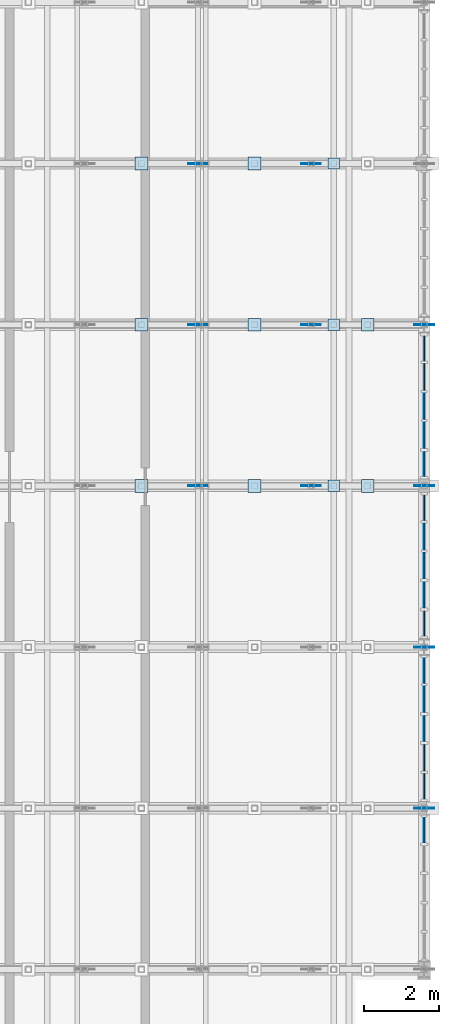
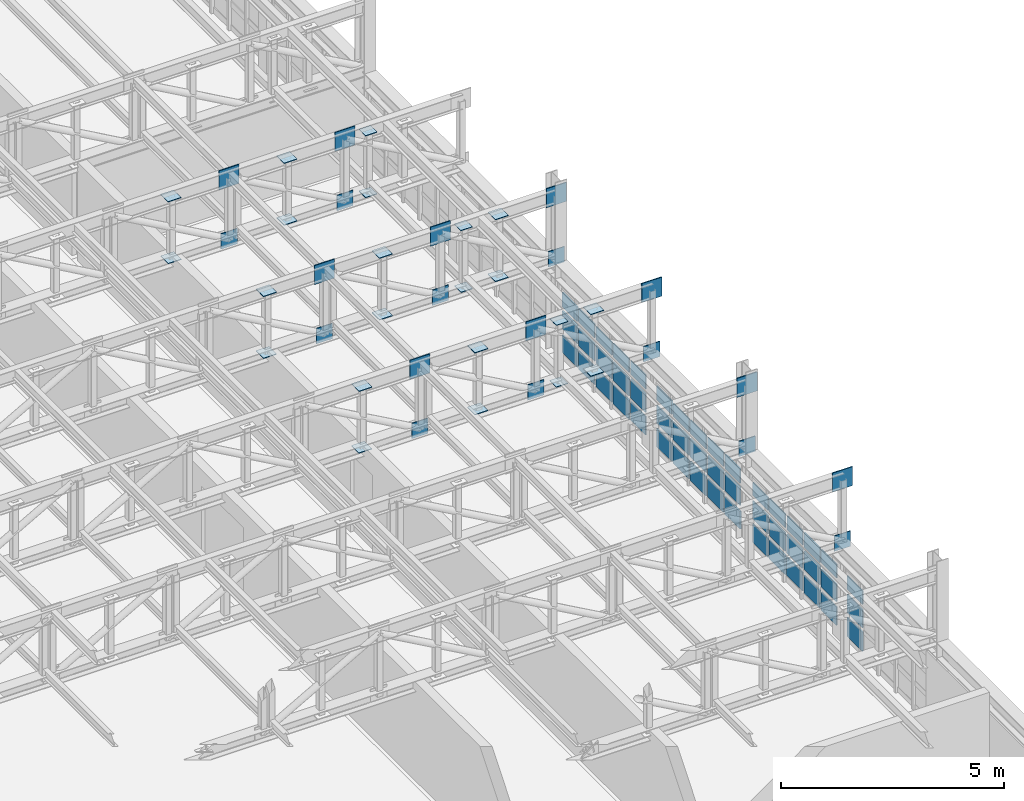
# One storey, part 109 of 128: 90 plates, 4 elements without a shape of their own.
"""IFC4 building model written with IfcOpenShell, lengths in metres."""

from ifc_helpers import new_model, si_unit, direction, frame, origin, origin_2d, place, context, subcontext, project, spatial, rectangle, extrude, material, layer, layer_set, type_object, element, aggregate, save


model = new_model("IFC4")

# Units and contexts
model_context = context("Model", 3, precision=1e-05, world=origin(), true_north=direction((0.0, 1.0)))
body_context = subcontext(model_context, "Body", "Model", "MODEL_VIEW")
ifc_project = project(units=[si_unit("LENGTHUNIT", "METRE"), si_unit("AREAUNIT", "SQUARE_METRE"), si_unit("VOLUMEUNIT", "CUBIC_METRE"), si_unit("PLANEANGLEUNIT", "RADIAN"), si_unit("MASSUNIT", "GRAM", prefix="KILO")], contexts=[model_context])

# Site, building, storey
site_placement = place(None, origin())
site = spatial("IfcSite", under=ifc_project, at=site_placement, CompositionType="ELEMENT")
building_placement = place(site_placement, origin())
building = spatial("IfcBuilding", under=site, at=building_placement, Name="Serraforn Aerial Cableway Station", CompositionType="ELEMENT")
storey_placement = place(building_placement, frame((0.0, 0.0, 9.0)))
storey = spatial("IfcBuildingStorey", under=building, at=storey_placement, Name="L02", CompositionType="ELEMENT", Elevation=9.0)

# Curtain wall, plate
ifc_material_1 = material(Name="Anodised bronze unitised curtain wall")
curtain_wall_type_1 = type_object("IfcCurtainWallType", Name="CW-SYS-27", PredefinedType="USERDEFINED", material=ifc_material_1)
curtain_wall_1_placement = place(storey_placement, origin())
curtain_wall_1 = element("IfcCurtainWall", 1, at=curtain_wall_1_placement, inside=storey, type_object=curtain_wall_type_1, Name="Unitised Curtain Wall CW-EG-L02-E3A", ObjectType="UNITISED CURTAIN WALL", PredefinedType="USERDEFINED")
ifc_material_2 = material(Name="Solar-control low-E double glazing", Category="glass")
ifc_layer_1 = layer(ifc_material_2, 0.02587890625)
ifc_layer_set_1 = layer_set([ifc_layer_1], Name="Solar-control low-E double glazing")
plate_type_1 = type_object("IfcPlateType", Name="CW-GLZ-1", PredefinedType="CURTAIN_PANEL", material=ifc_layer_set_1)
plate_1_placement = place(storey_placement, frame((168.0, 66.399169921875, 0.77880859375), z_axis=(0.0, 0.0, 1.0), x_axis=(1.0, 0.0, 0.0)))
plate_1 = element("IfcPlate", 2, at=plate_1_placement, type_object=plate_type_1, Name="Curtain Wall Panel CW-EG-L02-E3A-P5-2", PredefinedType="CURTAIN_PANEL", context=body_context, shape_type="SweptSolid", body=[
    extrude(rectangle(XDim=0.02587890625, YDim=0.685791015625, at=origin_2d()), origin(), (0.0, 0.0, 1.0), 0.512451171875),
])

# Curtain wall, plates
curtain_wall_type_2 = type_object("IfcCurtainWallType", Name="CW-SYS-28", PredefinedType="USERDEFINED", material=ifc_material_1)
curtain_wall_2_placement = place(storey_placement, origin())
curtain_wall_2 = element("IfcCurtainWall", 3, at=curtain_wall_2_placement, inside=storey, type_object=curtain_wall_type_2, Name="Unitised Curtain Wall CW-EG-L02-E3B", ObjectType="UNITISED CURTAIN WALL", PredefinedType="USERDEFINED")
plate_2_placement = place(storey_placement, frame((168.0, 69.089599609375, 1.414794921875), z_axis=(0.0, 0.0, 1.0), x_axis=(1.0, 0.0, 0.0)))
plate_2 = element("IfcPlate", 4, at=plate_2_placement, type_object=plate_type_1, Name="Curtain Wall Panel CW-EG-L02-E3B-P3-3", PredefinedType="CURTAIN_PANEL", context=body_context, shape_type="SweptSolid", body=[
    extrude(rectangle(XDim=0.02587890625, YDim=0.705810546875, at=origin_2d()), origin(), (0.0, 0.0, 1.0), 0.38525390625),
])
plate_3_placement = place(storey_placement, frame((168.0, 69.870361328125, 0.77880859375), z_axis=(0.0, 0.0, 1.0), x_axis=(1.0, 0.0, 0.0)))
plate_3 = element("IfcPlate", 5, at=plate_3_placement, type_object=plate_type_1, Name="Curtain Wall Panel CW-EG-L02-E3B-P4-2", PredefinedType="CURTAIN_PANEL", context=body_context, shape_type="SweptSolid", body=[
    extrude(rectangle(XDim=0.02587890625, YDim=0.71337890625, at=origin_2d()), origin(), (0.0, 0.0, 1.0), 0.512451171875),
])
plate_4_placement = place(storey_placement, frame((168.0, 70.62353515625, 0.142578125), z_axis=(0.0, 0.0, 1.0), x_axis=(1.0, 0.0, 0.0)))
plate_4 = element("IfcPlate", 6, at=plate_4_placement, type_object=plate_type_1, Name="Curtain Wall Panel CW-EG-L02-E3B-P5-1", PredefinedType="CURTAIN_PANEL", context=body_context, shape_type="SweptSolid", body=[
    extrude(rectangle(XDim=0.02587890625, YDim=0.69091796875, at=origin_2d()), origin(), (0.0, 0.0, 1.0), 0.512451171875),
])

curtain_wall_type_3 = type_object("IfcCurtainWallType", Name="CW-SYS-1", PredefinedType="USERDEFINED", material=ifc_material_1)
curtain_wall_3_placement = place(storey_placement, origin())
curtain_wall_3 = element("IfcCurtainWall", 7, at=curtain_wall_3_placement, inside=storey, type_object=curtain_wall_type_3, Name="Unitised Curtain Wall CW-EG-L02-E4A", ObjectType="UNITISED CURTAIN WALL", PredefinedType="USERDEFINED")
plate_5_placement = place(storey_placement, frame((168.0, 72.63330078125, 1.414794921875), z_axis=(0.0, 0.0, 1.0), x_axis=(1.0, 0.0, 0.0)))
plate_5 = element("IfcPlate", 8, at=plate_5_placement, type_object=plate_type_1, Name="Curtain Wall Panel CW-EG-L02-E4A-P2-3", PredefinedType="CURTAIN_PANEL", context=body_context, shape_type="SweptSolid", body=[
    extrude(rectangle(XDim=0.02587890625, YDim=0.705810546875, at=origin_2d()), origin(), (0.0, 0.0, 1.0), 0.38525390625),
])
plate_6_placement = place(storey_placement, frame((168.0, 73.4140625, 0.77880859375), z_axis=(0.0, 0.0, 1.0), x_axis=(1.0, 0.0, 0.0)))
plate_6 = element("IfcPlate", 9, at=plate_6_placement, type_object=plate_type_1, Name="Curtain Wall Panel CW-EG-L02-E4A-P3-2", PredefinedType="CURTAIN_PANEL", context=body_context, shape_type="SweptSolid", body=[
    extrude(rectangle(XDim=0.02587890625, YDim=0.71337890625, at=origin_2d()), origin(), (0.0, 0.0, 1.0), 0.512451171875),
])
plate_7_placement = place(storey_placement, frame((168.0, 74.18212890625, 0.142578125), z_axis=(0.0, 0.0, 1.0), x_axis=(1.0, 0.0, 0.0)))
plate_7 = element("IfcPlate", 10, at=plate_7_placement, type_object=plate_type_1, Name="Curtain Wall Panel CW-EG-L02-E4A-P4-1", PredefinedType="CURTAIN_PANEL", context=body_context, shape_type="SweptSolid", body=[
    extrude(rectangle(XDim=0.02587890625, YDim=0.720947265625, at=origin_2d()), origin(), (0.0, 0.0, 1.0), 0.512451171875),
])

curtain_wall_type_4 = type_object("IfcCurtainWallType", Name="CW-SYS-2", PredefinedType="USERDEFINED", material=ifc_material_1)
curtain_wall_4_placement = place(storey_placement, origin())
curtain_wall_4 = element("IfcCurtainWall", 11, at=curtain_wall_4_placement, inside=storey, type_object=curtain_wall_type_4, Name="Unitised Curtain Wall CW-EG-L02-E4B", ObjectType="UNITISED CURTAIN WALL", PredefinedType="USERDEFINED")
plate_8_placement = place(storey_placement, frame((168.0, 76.1083984375, 1.414794921875), z_axis=(0.0, 0.0, 1.0), x_axis=(1.0, 0.0, 0.0)))
plate_8 = element("IfcPlate", 12, at=plate_8_placement, type_object=plate_type_1, Name="Curtain Wall Panel CW-EG-L02-E4B-P1-3", PredefinedType="CURTAIN_PANEL", context=body_context, shape_type="SweptSolid", body=[
    extrude(rectangle(XDim=0.02587890625, YDim=0.6708984375, at=origin_2d()), origin(), (0.0, 0.0, 1.0), 0.38525390625),
])
plate_9_placement = place(storey_placement, frame((168.0, 76.87158203125, 0.77880859375), z_axis=(0.0, 0.0, 1.0), x_axis=(1.0, 0.0, 0.0)))
plate_9 = element("IfcPlate", 13, at=plate_9_placement, type_object=plate_type_1, Name="Curtain Wall Panel CW-EG-L02-E4B-P2-2", PredefinedType="CURTAIN_PANEL", context=body_context, shape_type="SweptSolid", body=[
    extrude(rectangle(XDim=0.02587890625, YDim=0.71337890625, at=origin_2d()), origin(), (0.0, 0.0, 1.0), 0.512451171875),
])
plate_10_placement = place(storey_placement, frame((168.0, 77.6396484375, 0.142578125), z_axis=(0.0, 0.0, 1.0), x_axis=(1.0, 0.0, 0.0)))
plate_10 = element("IfcPlate", 14, at=plate_10_placement, type_object=plate_type_1, Name="Curtain Wall Panel CW-EG-L02-E4B-P3-1", PredefinedType="CURTAIN_PANEL", context=body_context, shape_type="SweptSolid", body=[
    extrude(rectangle(XDim=0.02587890625, YDim=0.720947265625, at=origin_2d()), origin(), (0.0, 0.0, 1.0), 0.512451171875),
])

# Plate
ifc_layer_2 = layer(ifc_material_2, 0.028076171875)
ifc_layer_set_2 = layer_set([ifc_layer_2], Name="Solar-control low-E double glazing")
plate_type_2 = type_object("IfcPlateType", Name="CW-GLZ-2", PredefinedType="CURTAIN_PANEL", material=ifc_layer_set_2)
plate_11_placement = place(storey_placement, frame((168.0, 66.399169921875, 1.42236328125), z_axis=(0.0, 0.0, 1.0), x_axis=(1.0, 0.0, 0.0)))
plate_11 = element("IfcPlate", 15, at=plate_11_placement, type_object=plate_type_2, Name="Curtain Wall Panel CW-EG-L02-E3A-P5-3", PredefinedType="CURTAIN_PANEL", context=body_context, shape_type="SweptSolid", body=[
    extrude(rectangle(XDim=0.028076171875, YDim=0.685791015625, at=origin_2d()), origin(), (0.0, 0.0, 1.0), 0.370361328125),
])

plate_12_placement = place(storey_placement, frame((168.0, 69.870361328125, 1.42236328125), z_axis=(0.0, 0.0, 1.0), x_axis=(1.0, 0.0, 0.0)))
plate_12 = element("IfcPlate", 16, at=plate_12_placement, type_object=plate_type_2, Name="Curtain Wall Panel CW-EG-L02-E3B-P4-3", PredefinedType="CURTAIN_PANEL", context=body_context, shape_type="SweptSolid", body=[
    extrude(rectangle(XDim=0.028076171875, YDim=0.71337890625, at=origin_2d()), origin(), (0.0, 0.0, 1.0), 0.370361328125),
])

plate_13_placement = place(storey_placement, frame((168.0, 70.62353515625, 0.786376953125), z_axis=(0.0, 0.0, 1.0), x_axis=(1.0, 0.0, 0.0)))
plate_13 = element("IfcPlate", 17, at=plate_13_placement, type_object=plate_type_2, Name="Curtain Wall Panel CW-EG-L02-E3B-P5-2", PredefinedType="CURTAIN_PANEL", context=body_context, shape_type="SweptSolid", body=[
    extrude(rectangle(XDim=0.028076171875, YDim=0.69091796875, at=origin_2d()), origin(), (0.0, 0.0, 1.0), 0.49755859375),
])

plate_14_placement = place(storey_placement, frame((168.0, 73.4140625, 1.42236328125), z_axis=(0.0, 0.0, 1.0), x_axis=(1.0, 0.0, 0.0)))
plate_14 = element("IfcPlate", 18, at=plate_14_placement, type_object=plate_type_2, Name="Curtain Wall Panel CW-EG-L02-E4A-P3-3", PredefinedType="CURTAIN_PANEL", context=body_context, shape_type="SweptSolid", body=[
    extrude(rectangle(XDim=0.028076171875, YDim=0.71337890625, at=origin_2d()), origin(), (0.0, 0.0, 1.0), 0.370361328125),
])

plate_15_placement = place(storey_placement, frame((168.0, 74.18212890625, 0.786376953125), z_axis=(0.0, 0.0, 1.0), x_axis=(1.0, 0.0, 0.0)))
plate_15 = element("IfcPlate", 19, at=plate_15_placement, type_object=plate_type_2, Name="Curtain Wall Panel CW-EG-L02-E4A-P4-2", PredefinedType="CURTAIN_PANEL", context=body_context, shape_type="SweptSolid", body=[
    extrude(rectangle(XDim=0.028076171875, YDim=0.720947265625, at=origin_2d()), origin(), (0.0, 0.0, 1.0), 0.49755859375),
])

plate_16_placement = place(storey_placement, frame((168.0, 74.940185546875, 0.150390625), z_axis=(0.0, 0.0, 1.0), x_axis=(1.0, 0.0, 0.0)))
plate_16 = element("IfcPlate", 20, at=plate_16_placement, type_object=plate_type_2, Name="Curtain Wall Panel CW-EG-L02-E4A-P5-1", PredefinedType="CURTAIN_PANEL", context=body_context, shape_type="SweptSolid", body=[
    extrude(rectangle(XDim=0.028076171875, YDim=0.683349609375, at=origin_2d()), origin(), (0.0, 0.0, 1.0), 0.49755859375),
])

plate_17_placement = place(storey_placement, frame((168.0, 76.87158203125, 1.42236328125), z_axis=(0.0, 0.0, 1.0), x_axis=(1.0, 0.0, 0.0)))
plate_17 = element("IfcPlate", 21, at=plate_17_placement, type_object=plate_type_2, Name="Curtain Wall Panel CW-EG-L02-E4B-P2-3", PredefinedType="CURTAIN_PANEL", context=body_context, shape_type="SweptSolid", body=[
    extrude(rectangle(XDim=0.028076171875, YDim=0.71337890625, at=origin_2d()), origin(), (0.0, 0.0, 1.0), 0.370361328125),
])

plate_18_placement = place(storey_placement, frame((168.0, 77.6396484375, 0.786376953125), z_axis=(0.0, 0.0, 1.0), x_axis=(1.0, 0.0, 0.0)))
plate_18 = element("IfcPlate", 22, at=plate_18_placement, type_object=plate_type_2, Name="Curtain Wall Panel CW-EG-L02-E4B-P3-2", PredefinedType="CURTAIN_PANEL", context=body_context, shape_type="SweptSolid", body=[
    extrude(rectangle(XDim=0.028076171875, YDim=0.720947265625, at=origin_2d()), origin(), (0.0, 0.0, 1.0), 0.49755859375),
])

plate_19_placement = place(storey_placement, frame((168.0, 78.4140625, 0.150390625), z_axis=(0.0, 0.0, 1.0), x_axis=(1.0, 0.0, 0.0)))
plate_19 = element("IfcPlate", 23, at=plate_19_placement, type_object=plate_type_2, Name="Curtain Wall Panel CW-EG-L02-E4B-P4-1", PredefinedType="CURTAIN_PANEL", context=body_context, shape_type="SweptSolid", body=[
    extrude(rectangle(XDim=0.028076171875, YDim=0.7158203125, at=origin_2d()), origin(), (0.0, 0.0, 1.0), 0.49755859375),
])

ifc_layer_3 = layer(ifc_material_2, 0.030029296875)
ifc_layer_set_3 = layer_set([ifc_layer_3], Name="Solar-control low-E double glazing")
plate_type_3 = type_object("IfcPlateType", Name="CW-GLZ-3", PredefinedType="CURTAIN_PANEL", material=ifc_layer_set_3)
plate_20_placement = place(storey_placement, frame((168.0, 70.62353515625, 1.4296875), z_axis=(0.0, 0.0, 1.0), x_axis=(1.0, 0.0, 0.0)))
plate_20 = element("IfcPlate", 24, at=plate_20_placement, type_object=plate_type_3, Name="Curtain Wall Panel CW-EG-L02-E3B-P5-3", PredefinedType="CURTAIN_PANEL", context=body_context, shape_type="SweptSolid", body=[
    extrude(rectangle(XDim=0.030029296875, YDim=0.69091796875, at=origin_2d()), origin(), (0.0, 0.0, 1.0), 0.355224609375),
])

plate_21_placement = place(storey_placement, frame((168.0, 74.18212890625, 1.4296875), z_axis=(0.0, 0.0, 1.0), x_axis=(1.0, 0.0, 0.0)))
plate_21 = element("IfcPlate", 25, at=plate_21_placement, type_object=plate_type_3, Name="Curtain Wall Panel CW-EG-L02-E4A-P4-3", PredefinedType="CURTAIN_PANEL", context=body_context, shape_type="SweptSolid", body=[
    extrude(rectangle(XDim=0.030029296875, YDim=0.720947265625, at=origin_2d()), origin(), (0.0, 0.0, 1.0), 0.355224609375),
])

plate_22_placement = place(storey_placement, frame((168.0, 74.940185546875, 0.7939453125), z_axis=(0.0, 0.0, 1.0), x_axis=(1.0, 0.0, 0.0)))
plate_22 = element("IfcPlate", 26, at=plate_22_placement, type_object=plate_type_3, Name="Curtain Wall Panel CW-EG-L02-E4A-P5-2", PredefinedType="CURTAIN_PANEL", context=body_context, shape_type="SweptSolid", body=[
    extrude(rectangle(XDim=0.030029296875, YDim=0.683349609375, at=origin_2d()), origin(), (0.0, 0.0, 1.0), 0.482421875),
])

plate_23_placement = place(storey_placement, frame((168.0, 77.6396484375, 1.4296875), z_axis=(0.0, 0.0, 1.0), x_axis=(1.0, 0.0, 0.0)))
plate_23 = element("IfcPlate", 27, at=plate_23_placement, type_object=plate_type_3, Name="Curtain Wall Panel CW-EG-L02-E4B-P3-3", PredefinedType="CURTAIN_PANEL", context=body_context, shape_type="SweptSolid", body=[
    extrude(rectangle(XDim=0.030029296875, YDim=0.720947265625, at=origin_2d()), origin(), (0.0, 0.0, 1.0), 0.355224609375),
])

plate_24_placement = place(storey_placement, frame((168.0, 78.4140625, 0.7939453125), z_axis=(0.0, 0.0, 1.0), x_axis=(1.0, 0.0, 0.0)))
plate_24 = element("IfcPlate", 28, at=plate_24_placement, type_object=plate_type_3, Name="Curtain Wall Panel CW-EG-L02-E4B-P4-2", PredefinedType="CURTAIN_PANEL", context=body_context, shape_type="SweptSolid", body=[
    extrude(rectangle(XDim=0.030029296875, YDim=0.7158203125, at=origin_2d()), origin(), (0.0, 0.0, 1.0), 0.482421875),
])

plate_25_placement = place(storey_placement, frame((168.0, 79.1708984375, 0.15771484375), z_axis=(0.0, 0.0, 1.0), x_axis=(1.0, 0.0, 0.0)))
plate_25 = element("IfcPlate", 29, at=plate_25_placement, type_object=plate_type_3, Name="Curtain Wall Panel CW-EG-L02-E4B-P5-1", PredefinedType="CURTAIN_PANEL", context=body_context, shape_type="SweptSolid", body=[
    extrude(rectangle(XDim=0.030029296875, YDim=0.67578125, at=origin_2d()), origin(), (0.0, 0.0, 1.0), 0.482421875),
])

ifc_layer_4 = layer(ifc_material_2, 0.031982421875)
ifc_layer_set_4 = layer_set([ifc_layer_4], Name="Solar-control low-E double glazing")
plate_type_4 = type_object("IfcPlateType", Name="CW-GLZ-4", PredefinedType="CURTAIN_PANEL", material=ifc_layer_set_4)
plate_26_placement = place(storey_placement, frame((168.0, 74.940185546875, 1.4375), z_axis=(0.0, 0.0, 1.0), x_axis=(1.0, 0.0, 0.0)))
plate_26 = element("IfcPlate", 30, at=plate_26_placement, type_object=plate_type_4, Name="Curtain Wall Panel CW-EG-L02-E4A-P5-3", PredefinedType="CURTAIN_PANEL", context=body_context, shape_type="SweptSolid", body=[
    extrude(rectangle(XDim=0.031982421875, YDim=0.683349609375, at=origin_2d()), origin(), (0.0, 0.0, 1.0), 0.375244140625),
])

plate_27_placement = place(storey_placement, frame((168.0, 78.4140625, 1.4375), z_axis=(0.0, 0.0, 1.0), x_axis=(1.0, 0.0, 0.0)))
plate_27 = element("IfcPlate", 31, at=plate_27_placement, type_object=plate_type_4, Name="Curtain Wall Panel CW-EG-L02-E4B-P4-3", PredefinedType="CURTAIN_PANEL", context=body_context, shape_type="SweptSolid", body=[
    extrude(rectangle(XDim=0.031982421875, YDim=0.7158203125, at=origin_2d()), origin(), (0.0, 0.0, 1.0), 0.375244140625),
])

plate_28_placement = place(storey_placement, frame((168.0, 79.1708984375, 0.80126953125), z_axis=(0.0, 0.0, 1.0), x_axis=(1.0, 0.0, 0.0)))
plate_28 = element("IfcPlate", 32, at=plate_28_placement, type_object=plate_type_4, Name="Curtain Wall Panel CW-EG-L02-E4B-P5-2", PredefinedType="CURTAIN_PANEL", context=body_context, shape_type="SweptSolid", body=[
    extrude(rectangle(XDim=0.031982421875, YDim=0.67578125, at=origin_2d()), origin(), (0.0, 0.0, 1.0), 0.50244140625),
])

ifc_layer_5 = layer(ifc_material_2, 0.033935546875)
ifc_layer_set_5 = layer_set([ifc_layer_5], Name="Solar-control low-E double glazing")
plate_type_5 = type_object("IfcPlateType", Name="CW-GLZ-5", PredefinedType="CURTAIN_PANEL", material=ifc_layer_set_5)
plate_29_placement = place(storey_placement, frame((168.0, 67.555908203125, 0.150390625), z_axis=(0.0, 0.0, 1.0), x_axis=(1.0, 0.0, 0.0)))
plate_29 = element("IfcPlate", 33, at=plate_29_placement, type_object=plate_type_5, Name="Curtain Wall Panel CW-EG-L02-E3B-P1-1", PredefinedType="CURTAIN_PANEL", context=body_context, shape_type="SweptSolid", body=[
    extrude(rectangle(XDim=0.033935546875, YDim=0.685791015625, at=origin_2d()), origin(), (0.0, 0.0, 1.0), 0.49755859375),
])

plate_30_placement = place(storey_placement, frame((168.0, 79.1708984375, 1.40966796875), z_axis=(0.0, 0.0, 1.0), x_axis=(1.0, 0.0, 0.0)))
plate_30 = element("IfcPlate", 34, at=plate_30_placement, type_object=plate_type_5, Name="Curtain Wall Panel CW-EG-L02-E4B-P5-3", PredefinedType="CURTAIN_PANEL", context=body_context, shape_type="SweptSolid", body=[
    extrude(rectangle(XDim=0.033935546875, YDim=0.67578125, at=origin_2d()), origin(), (0.0, 0.0, 1.0), 0.397705078125),
])

ifc_layer_6 = layer(ifc_material_2, 0.035888671875)
ifc_layer_set_6 = layer_set([ifc_layer_6], Name="Solar-control low-E double glazing")
plate_type_6 = type_object("IfcPlateType", Name="CW-GLZ-6", PredefinedType="CURTAIN_PANEL", material=ifc_layer_set_6)
plate_31_placement = place(storey_placement, frame((168.0, 67.555908203125, 0.7939453125), z_axis=(0.0, 0.0, 1.0), x_axis=(1.0, 0.0, 0.0)))
plate_31 = element("IfcPlate", 35, at=plate_31_placement, type_object=plate_type_6, Name="Curtain Wall Panel CW-EG-L02-E3B-P1-2", PredefinedType="CURTAIN_PANEL", context=body_context, shape_type="SweptSolid", body=[
    extrude(rectangle(XDim=0.035888671875, YDim=0.685791015625, at=origin_2d()), origin(), (0.0, 0.0, 1.0), 0.482421875),
])

plate_32_placement = place(storey_placement, frame((168.0, 68.315185546875, 0.15771484375), z_axis=(0.0, 0.0, 1.0), x_axis=(1.0, 0.0, 0.0)))
plate_32 = element("IfcPlate", 36, at=plate_32_placement, type_object=plate_type_6, Name="Curtain Wall Panel CW-EG-L02-E3B-P2-1", PredefinedType="CURTAIN_PANEL", context=body_context, shape_type="SweptSolid", body=[
    extrude(rectangle(XDim=0.035888671875, YDim=0.7109375, at=origin_2d()), origin(), (0.0, 0.0, 1.0), 0.482421875),
])

plate_33_placement = place(storey_placement, frame((168.0, 71.875244140625, 0.15771484375), z_axis=(0.0, 0.0, 1.0), x_axis=(1.0, 0.0, 0.0)))
plate_33 = element("IfcPlate", 37, at=plate_33_placement, type_object=plate_type_6, Name="Curtain Wall Panel CW-EG-L02-E4A-P1-1", PredefinedType="CURTAIN_PANEL", context=body_context, shape_type="SweptSolid", body=[
    extrude(rectangle(XDim=0.035888671875, YDim=0.678466796875, at=origin_2d()), origin(), (0.0, 0.0, 1.0), 0.482421875),
])

ifc_layer_7 = layer(ifc_material_2, 0.029052734375)
ifc_layer_set_7 = layer_set([ifc_layer_7], Name="Solar-control low-E double glazing")
plate_type_7 = type_object("IfcPlateType", Name="CW-GLZ-7", PredefinedType="CURTAIN_PANEL", material=ifc_layer_set_7)
plate_34_placement = place(storey_placement, frame((168.0, 67.555908203125, 1.4375), z_axis=(0.0, 0.0, 1.0), x_axis=(1.0, 0.0, 0.0)))
plate_34 = element("IfcPlate", 38, at=plate_34_placement, type_object=plate_type_7, Name="Curtain Wall Panel CW-EG-L02-E3B-P1-3", PredefinedType="CURTAIN_PANEL", context=body_context, shape_type="SweptSolid", body=[
    extrude(rectangle(XDim=0.029052734375, YDim=0.685791015625, at=origin_2d()), origin(), (0.0, 0.0, 1.0), 0.375244140625),
])

plate_35_placement = place(storey_placement, frame((168.0, 68.315185546875, 0.80126953125), z_axis=(0.0, 0.0, 1.0), x_axis=(1.0, 0.0, 0.0)))
plate_35 = element("IfcPlate", 39, at=plate_35_placement, type_object=plate_type_7, Name="Curtain Wall Panel CW-EG-L02-E3B-P2-2", PredefinedType="CURTAIN_PANEL", context=body_context, shape_type="SweptSolid", body=[
    extrude(rectangle(XDim=0.029052734375, YDim=0.7109375, at=origin_2d()), origin(), (0.0, 0.0, 1.0), 0.50244140625),
])

plate_36_placement = place(storey_placement, frame((168.0, 69.089599609375, 0.165283203125), z_axis=(0.0, 0.0, 1.0), x_axis=(1.0, 0.0, 0.0)))
plate_36 = element("IfcPlate", 40, at=plate_36_placement, type_object=plate_type_7, Name="Curtain Wall Panel CW-EG-L02-E3B-P3-1", PredefinedType="CURTAIN_PANEL", context=body_context, shape_type="SweptSolid", body=[
    extrude(rectangle(XDim=0.029052734375, YDim=0.705810546875, at=origin_2d()), origin(), (0.0, 0.0, 1.0), 0.50244140625),
])

plate_37_placement = place(storey_placement, frame((168.0, 71.875244140625, 0.80126953125), z_axis=(0.0, 0.0, 1.0), x_axis=(1.0, 0.0, 0.0)))
plate_37 = element("IfcPlate", 41, at=plate_37_placement, type_object=plate_type_7, Name="Curtain Wall Panel CW-EG-L02-E4A-P1-2", PredefinedType="CURTAIN_PANEL", context=body_context, shape_type="SweptSolid", body=[
    extrude(rectangle(XDim=0.029052734375, YDim=0.678466796875, at=origin_2d()), origin(), (0.0, 0.0, 1.0), 0.50244140625),
])

plate_38_placement = place(storey_placement, frame((168.0, 72.63330078125, 0.165283203125), z_axis=(0.0, 0.0, 1.0), x_axis=(1.0, 0.0, 0.0)))
plate_38 = element("IfcPlate", 42, at=plate_38_placement, type_object=plate_type_7, Name="Curtain Wall Panel CW-EG-L02-E4A-P2-1", PredefinedType="CURTAIN_PANEL", context=body_context, shape_type="SweptSolid", body=[
    extrude(rectangle(XDim=0.029052734375, YDim=0.705810546875, at=origin_2d()), origin(), (0.0, 0.0, 1.0), 0.50244140625),
])

plate_39_placement = place(storey_placement, frame((168.0, 76.1083984375, 0.165283203125), z_axis=(0.0, 0.0, 1.0), x_axis=(1.0, 0.0, 0.0)))
plate_39 = element("IfcPlate", 43, at=plate_39_placement, type_object=plate_type_7, Name="Curtain Wall Panel CW-EG-L02-E4B-P1-1", PredefinedType="CURTAIN_PANEL", context=body_context, shape_type="SweptSolid", body=[
    extrude(rectangle(XDim=0.029052734375, YDim=0.6708984375, at=origin_2d()), origin(), (0.0, 0.0, 1.0), 0.50244140625),
])

ifc_layer_8 = layer(ifc_material_2, 0.031005859375)
ifc_layer_set_8 = layer_set([ifc_layer_8], Name="Solar-control low-E double glazing")
plate_type_8 = type_object("IfcPlateType", Name="CW-GLZ-8", PredefinedType="CURTAIN_PANEL", material=ifc_layer_set_8)
plate_40_placement = place(storey_placement, frame((168.0, 66.399169921875, 0.137939453125), z_axis=(0.0, 0.0, 1.0), x_axis=(1.0, 0.0, 0.0)))
plate_40 = element("IfcPlate", 44, at=plate_40_placement, type_object=plate_type_8, Name="Curtain Wall Panel CW-EG-L02-E3A-P5-1", PredefinedType="CURTAIN_PANEL", context=body_context, shape_type="SweptSolid", body=[
    extrude(rectangle(XDim=0.031005859375, YDim=0.685791015625, at=origin_2d()), origin(), (0.0, 0.0, 1.0), 0.52490234375),
])

aggregate(curtain_wall_1, [plate_40, plate_1, plate_11])

plate_41_placement = place(storey_placement, frame((168.0, 68.315185546875, 1.40966796875), z_axis=(0.0, 0.0, 1.0), x_axis=(1.0, 0.0, 0.0)))
plate_41 = element("IfcPlate", 45, at=plate_41_placement, type_object=plate_type_8, Name="Curtain Wall Panel CW-EG-L02-E3B-P2-3", PredefinedType="CURTAIN_PANEL", context=body_context, shape_type="SweptSolid", body=[
    extrude(rectangle(XDim=0.031005859375, YDim=0.7109375, at=origin_2d()), origin(), (0.0, 0.0, 1.0), 0.397705078125),
])

plate_42_placement = place(storey_placement, frame((168.0, 69.089599609375, 0.77392578125), z_axis=(0.0, 0.0, 1.0), x_axis=(1.0, 0.0, 0.0)))
plate_42 = element("IfcPlate", 46, at=plate_42_placement, type_object=plate_type_8, Name="Curtain Wall Panel CW-EG-L02-E3B-P3-2", PredefinedType="CURTAIN_PANEL", context=body_context, shape_type="SweptSolid", body=[
    extrude(rectangle(XDim=0.031005859375, YDim=0.705810546875, at=origin_2d()), origin(), (0.0, 0.0, 1.0), 0.52490234375),
])

plate_43_placement = place(storey_placement, frame((168.0, 69.870361328125, 0.137939453125), z_axis=(0.0, 0.0, 1.0), x_axis=(1.0, 0.0, 0.0)))
plate_43 = element("IfcPlate", 47, at=plate_43_placement, type_object=plate_type_8, Name="Curtain Wall Panel CW-EG-L02-E3B-P4-1", PredefinedType="CURTAIN_PANEL", context=body_context, shape_type="SweptSolid", body=[
    extrude(rectangle(XDim=0.031005859375, YDim=0.71337890625, at=origin_2d()), origin(), (0.0, 0.0, 1.0), 0.52490234375),
])

aggregate(curtain_wall_2, [plate_29, plate_31, plate_34, plate_32, plate_35, plate_41, plate_36, plate_42, plate_2, plate_43, plate_3, plate_12, plate_4, plate_13, plate_20])

plate_44_placement = place(storey_placement, frame((168.0, 71.875244140625, 1.40966796875), z_axis=(0.0, 0.0, 1.0), x_axis=(1.0, 0.0, 0.0)))
plate_44 = element("IfcPlate", 48, at=plate_44_placement, type_object=plate_type_8, Name="Curtain Wall Panel CW-EG-L02-E4A-P1-3", PredefinedType="CURTAIN_PANEL", context=body_context, shape_type="SweptSolid", body=[
    extrude(rectangle(XDim=0.031005859375, YDim=0.678466796875, at=origin_2d()), origin(), (0.0, 0.0, 1.0), 0.397705078125),
])

plate_45_placement = place(storey_placement, frame((168.0, 72.63330078125, 0.77392578125), z_axis=(0.0, 0.0, 1.0), x_axis=(1.0, 0.0, 0.0)))
plate_45 = element("IfcPlate", 49, at=plate_45_placement, type_object=plate_type_8, Name="Curtain Wall Panel CW-EG-L02-E4A-P2-2", PredefinedType="CURTAIN_PANEL", context=body_context, shape_type="SweptSolid", body=[
    extrude(rectangle(XDim=0.031005859375, YDim=0.705810546875, at=origin_2d()), origin(), (0.0, 0.0, 1.0), 0.52490234375),
])

plate_46_placement = place(storey_placement, frame((168.0, 73.4140625, 0.137939453125), z_axis=(0.0, 0.0, 1.0), x_axis=(1.0, 0.0, 0.0)))
plate_46 = element("IfcPlate", 50, at=plate_46_placement, type_object=plate_type_8, Name="Curtain Wall Panel CW-EG-L02-E4A-P3-1", PredefinedType="CURTAIN_PANEL", context=body_context, shape_type="SweptSolid", body=[
    extrude(rectangle(XDim=0.031005859375, YDim=0.71337890625, at=origin_2d()), origin(), (0.0, 0.0, 1.0), 0.52490234375),
])

aggregate(curtain_wall_3, [plate_33, plate_37, plate_44, plate_38, plate_45, plate_5, plate_46, plate_6, plate_14, plate_7, plate_15, plate_21, plate_16, plate_22, plate_26])

plate_47_placement = place(storey_placement, frame((168.0, 76.1083984375, 0.77392578125), z_axis=(0.0, 0.0, 1.0), x_axis=(1.0, 0.0, 0.0)))
plate_47 = element("IfcPlate", 51, at=plate_47_placement, type_object=plate_type_8, Name="Curtain Wall Panel CW-EG-L02-E4B-P1-2", PredefinedType="CURTAIN_PANEL", context=body_context, shape_type="SweptSolid", body=[
    extrude(rectangle(XDim=0.031005859375, YDim=0.6708984375, at=origin_2d()), origin(), (0.0, 0.0, 1.0), 0.52490234375),
])

plate_48_placement = place(storey_placement, frame((168.0, 76.87158203125, 0.137939453125), z_axis=(0.0, 0.0, 1.0), x_axis=(1.0, 0.0, 0.0)))
plate_48 = element("IfcPlate", 52, at=plate_48_placement, type_object=plate_type_8, Name="Curtain Wall Panel CW-EG-L02-E4B-P2-1", PredefinedType="CURTAIN_PANEL", context=body_context, shape_type="SweptSolid", body=[
    extrude(rectangle(XDim=0.031005859375, YDim=0.71337890625, at=origin_2d()), origin(), (0.0, 0.0, 1.0), 0.52490234375),
])

aggregate(curtain_wall_4, [plate_39, plate_47, plate_8, plate_48, plate_9, plate_17, plate_10, plate_18, plate_23, plate_19, plate_24, plate_27, plate_25, plate_28, plate_30])

# Plates
ifc_material_3 = material(Name="Steel S355J2", Category="steel")
ifc_layer_9 = layer(ifc_material_3, 0.01611328125)
ifc_layer_set_9 = layer_set([ifc_layer_9], Name="Steel S355J2")
plate_type_9 = type_object("IfcPlateType", Name="PLT-CAP-16", PredefinedType="USERDEFINED", material=ifc_layer_set_9)
for number, where, z_axis, x_axis, name in (
    (53, (165.60009765625, 75.52490234375, 2.592041015625), (0.0, 0.0, 1.0), (1.0, 0.0, 0.0), "Suspension Post Bottom Cap 030"),
    (54, (165.60009765625, 75.52490234375, 4.281982421875), (0.0, 0.0, 1.0), (1.0, 0.0, 0.0), "Suspension Post Top Cap 030"),
    (55, (165.60009765625, 79.800048828125, 2.592041015625), (0.0, 0.0, 1.0), (1.0, 0.0, 0.0), "Suspension Post Bottom Cap 036"),
    (56, (165.60009765625, 79.800048828125, 4.281982421875), (0.0, 0.0, 1.0), (1.0, 0.0, 0.0), "Suspension Post Top Cap 036"),
    (57, (165.60009765625, 84.074951171875, 2.592041015625), (0.0, 0.0, 1.0), (1.0, 0.0, 0.0), "Suspension Post Bottom Cap 042"),
    (58, (165.60009765625, 84.074951171875, 4.281982421875), (0.0, 0.0, 1.0), (1.0, 0.0, 0.0), "Suspension Post Top Cap 042"),
):
    element("IfcPlate", number, at=place(storey_placement, frame(where, z_axis=z_axis, x_axis=x_axis)), inside=storey, type_object=plate_type_9, Name=name, ObjectType="CAP PLATE", PredefinedType="USERDEFINED", context=body_context, shape_type="SweptSolid", body=[
        extrude(rectangle(XDim=0.300048828125, YDim=0.300048828125, at=origin_2d()), origin(), (0.0, 0.0, 1.0), 0.01611328125),
    ])
ifc_layer_10 = layer(ifc_material_3, 0.01806640625)
ifc_layer_set_10 = layer_set([ifc_layer_10], Name="Steel S355J2")
plate_type_10 = type_object("IfcPlateType", Name="PLT-CAP-18", PredefinedType="USERDEFINED", material=ifc_layer_set_10)
for number, where, z_axis, x_axis, name in (
    (59, (160.5, 75.52490234375, 2.591064453125), (0.0, 0.0, 1.0), (1.0, 0.0, 0.0), "Sub-Vertical Strut Bottom Cap GT-06-6"),
    (60, (160.5, 75.52490234375, 4.281005859375), (0.0, 0.0, 1.0), (1.0, 0.0, 0.0), "Sub-Vertical Strut Top Cap GT-06-6"),
    (61, (163.5, 75.52490234375, 2.591064453125), (0.0, 0.0, 1.0), (1.0, 0.0, 0.0), "Sub-Vertical Strut Bottom Cap GT-06-7"),
    (62, (163.5, 75.52490234375, 4.281005859375), (0.0, 0.0, 1.0), (1.0, 0.0, 0.0), "Sub-Vertical Strut Top Cap GT-06-7"),
    (63, (166.5, 75.52490234375, 2.591064453125), (0.0, 0.0, 1.0), (1.0, 0.0, 0.0), "Sub-Vertical Strut Bottom Cap GT-06-8"),
    (64, (166.5, 75.52490234375, 4.281005859375), (0.0, 0.0, 1.0), (1.0, 0.0, 0.0), "Sub-Vertical Strut Top Cap GT-06-8"),
    (65, (160.5, 79.800048828125, 2.591064453125), (0.0, 0.0, 1.0), (1.0, 0.0, 0.0), "Sub-Vertical Strut Bottom Cap GT-07-6"),
    (66, (160.5, 79.800048828125, 4.281005859375), (0.0, 0.0, 1.0), (1.0, 0.0, 0.0), "Sub-Vertical Strut Top Cap GT-07-6"),
    (67, (163.5, 79.800048828125, 2.591064453125), (0.0, 0.0, 1.0), (1.0, 0.0, 0.0), "Sub-Vertical Strut Bottom Cap GT-07-7"),
    (68, (163.5, 79.800048828125, 4.281005859375), (0.0, 0.0, 1.0), (1.0, 0.0, 0.0), "Sub-Vertical Strut Top Cap GT-07-7"),
    (69, (166.5, 79.800048828125, 2.591064453125), (0.0, 0.0, 1.0), (1.0, 0.0, 0.0), "Sub-Vertical Strut Bottom Cap GT-07-8"),
    (70, (166.5, 79.800048828125, 4.281005859375), (0.0, 0.0, 1.0), (1.0, 0.0, 0.0), "Sub-Vertical Strut Top Cap GT-07-8"),
    (71, (160.5, 84.074951171875, 2.591064453125), (0.0, 0.0, 1.0), (1.0, 0.0, 0.0), "Sub-Vertical Strut Bottom Cap GT-08-6"),
    (72, (160.5, 84.074951171875, 4.281005859375), (0.0, 0.0, 1.0), (1.0, 0.0, 0.0), "Sub-Vertical Strut Top Cap GT-08-6"),
    (73, (163.5, 84.074951171875, 2.591064453125), (0.0, 0.0, 1.0), (1.0, 0.0, 0.0), "Sub-Vertical Strut Bottom Cap GT-08-7"),
    (74, (163.5, 84.074951171875, 4.281005859375), (0.0, 0.0, 1.0), (1.0, 0.0, 0.0), "Sub-Vertical Strut Top Cap GT-08-7"),
):
    element("IfcPlate", number, at=place(storey_placement, frame(where, z_axis=z_axis, x_axis=x_axis)), inside=storey, type_object=plate_type_10, Name=name, ObjectType="CAP PLATE", PredefinedType="USERDEFINED", context=body_context, shape_type="SweptSolid", body=[
        extrude(rectangle(XDim=0.340087890625, YDim=0.340087890625, at=origin_2d()), origin(), (0.0, 0.0, 1.0), 0.01806640625),
    ])
ifc_layer_11 = layer(ifc_material_3, 0.02197265625)
ifc_layer_set_11 = layer_set([ifc_layer_11], Name="Steel S355J2")
plate_type_11 = type_object("IfcPlateType", Name="PLT-CAP-22", PredefinedType="USERDEFINED", material=ifc_layer_set_11)
for number, where, z_axis, x_axis, name in (
    (75, (168.0, 66.97509765625, 2.39013671875), (0.0, 0.0, 1.0), (1.0, 0.0, 0.0), "Garage Truss Bottom Node GT-04-9"),
    (76, (168.0, 71.25, 2.39013671875), (0.0, 0.0, 1.0), (1.0, 0.0, 0.0), "Garage Truss Bottom Node GT-05-9"),
    (77, (162.0, 75.52490234375, 2.39013671875), (0.0, 0.0, 1.0), (1.0, 0.0, 0.0), "Garage Truss Bottom Node GT-06-7"),
    (78, (165.0, 75.52490234375, 2.39013671875), (0.0, 0.0, 1.0), (1.0, 0.0, 0.0), "Garage Truss Bottom Node GT-06-8"),
    (79, (168.0, 75.52490234375, 2.39013671875), (0.0, 0.0, 1.0), (1.0, 0.0, 0.0), "Garage Truss Bottom Node GT-06-9"),
    (80, (162.0, 79.800048828125, 2.39013671875), (0.0, 0.0, 1.0), (1.0, 0.0, 0.0), "Garage Truss Bottom Node GT-07-7"),
    (81, (165.0, 79.800048828125, 2.39013671875), (0.0, 0.0, 1.0), (1.0, 0.0, 0.0), "Garage Truss Bottom Node GT-07-8"),
    (82, (168.0, 79.800048828125, 2.39013671875), (0.0, 0.0, 1.0), (1.0, 0.0, 0.0), "Garage Truss Bottom Node GT-07-9"),
    (83, (162.0, 84.074951171875, 2.39013671875), (0.0, 0.0, 1.0), (1.0, 0.0, 0.0), "Garage Truss Bottom Node GT-08-7"),
    (84, (165.0, 84.074951171875, 2.39013671875), (0.0, 0.0, 1.0), (1.0, 0.0, 0.0), "Garage Truss Bottom Node GT-08-8"),
):
    element("IfcPlate", number, at=place(storey_placement, frame(where, z_axis=z_axis, x_axis=x_axis)), inside=storey, type_object=plate_type_11, Name=name, ObjectType="CAP PLATE", PredefinedType="USERDEFINED", context=body_context, shape_type="SweptSolid", body=[
        extrude(rectangle(XDim=0.419921875, YDim=0.02197265625, at=origin_2d()), origin(), (0.0, 0.0, 1.0), 0.419921875),
    ])
ifc_layer_12 = layer(ifc_material_3, 0.02587890625)
ifc_layer_set_12 = layer_set([ifc_layer_12], Name="Steel S355J2")
plate_type_12 = type_object("IfcPlateType", Name="PLT-GUS-26", PredefinedType="USERDEFINED", material=ifc_layer_set_12)
for number, where, z_axis, x_axis, name in (
    (85, (168.0, 66.97509765625, 4.030029296875), (0.0, 0.0, 1.0), (1.0, 0.0, 0.0), "Garage Truss Top Node GT-04-9"),
    (86, (168.0, 71.25, 4.030029296875), (0.0, 0.0, 1.0), (1.0, 0.0, 0.0), "Garage Truss Top Node GT-05-9"),
    (87, (162.0, 75.52490234375, 4.030029296875), (0.0, 0.0, 1.0), (1.0, 0.0, 0.0), "Garage Truss Top Node GT-06-7"),
    (88, (165.0, 75.52490234375, 4.030029296875), (0.0, 0.0, 1.0), (1.0, 0.0, 0.0), "Garage Truss Top Node GT-06-8"),
    (89, (168.0, 75.52490234375, 4.030029296875), (0.0, 0.0, 1.0), (1.0, 0.0, 0.0), "Garage Truss Top Node GT-06-9"),
    (90, (162.0, 79.800048828125, 4.030029296875), (0.0, 0.0, 1.0), (1.0, 0.0, 0.0), "Garage Truss Top Node GT-07-7"),
    (91, (165.0, 79.800048828125, 4.030029296875), (0.0, 0.0, 1.0), (1.0, 0.0, 0.0), "Garage Truss Top Node GT-07-8"),
    (92, (168.0, 79.800048828125, 4.030029296875), (0.0, 0.0, 1.0), (1.0, 0.0, 0.0), "Garage Truss Top Node GT-07-9"),
    (93, (162.0, 84.074951171875, 4.030029296875), (0.0, 0.0, 1.0), (1.0, 0.0, 0.0), "Garage Truss Top Node GT-08-7"),
    (94, (165.0, 84.074951171875, 4.030029296875), (0.0, 0.0, 1.0), (1.0, 0.0, 0.0), "Garage Truss Top Node GT-08-8"),
):
    element("IfcPlate", number, at=place(storey_placement, frame(where, z_axis=z_axis, x_axis=x_axis)), inside=storey, type_object=plate_type_12, Name=name, ObjectType="GUSSET PLATE", PredefinedType="USERDEFINED", context=body_context, shape_type="SweptSolid", body=[
        extrude(rectangle(XDim=0.52001953125, YDim=0.02587890625, at=origin_2d()), origin(), (0.0, 0.0, 1.0), 0.52001953125),
    ])

save(model, "model.ifc")
